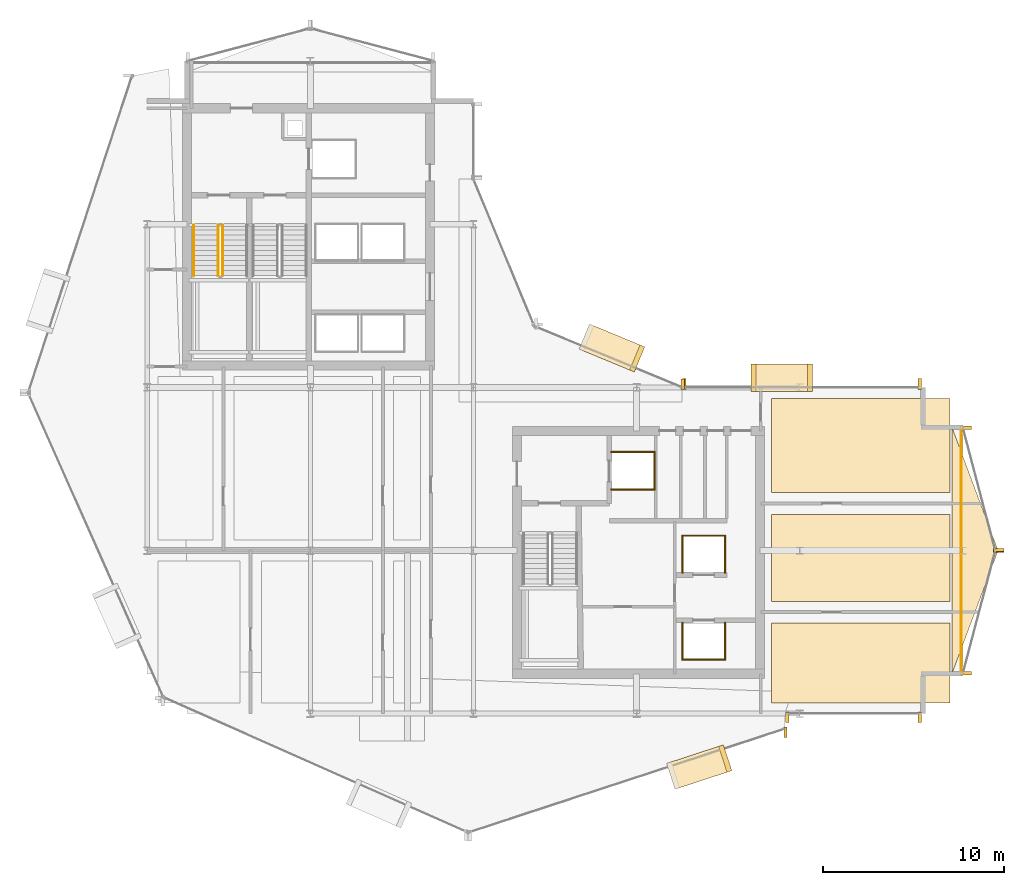
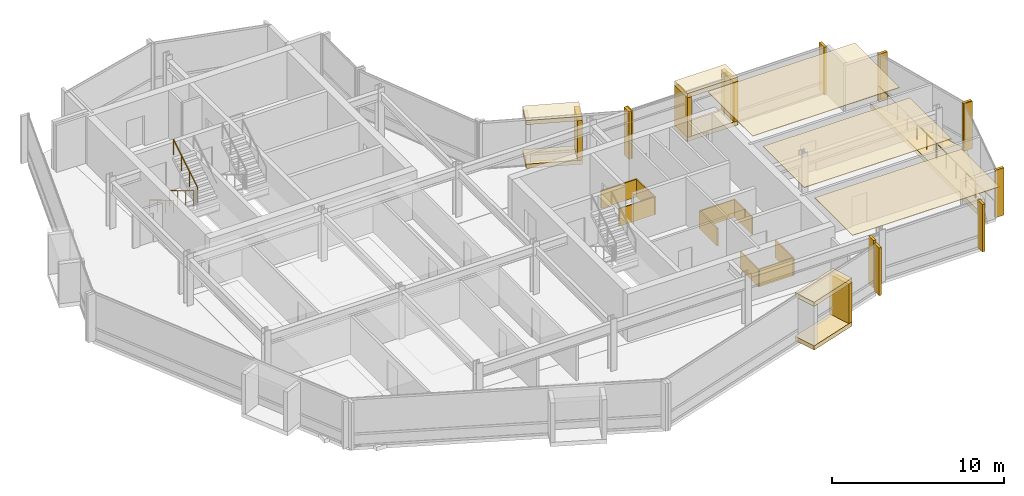
# One storey, part 26 of 27: 33 coverings, 4 railings.
"""IFC4 building model written with IfcOpenShell, lengths in metres."""

import ifcopenshell
import ifcopenshell.guid

model = None  # the IFC model being written
_history = None  # IfcOwnerHistory: only IFC2X3 demands one
_inside = {}  # id of a spatial element -> (the spatial element, [elements in it])
_under = {}  # id of a project, library or spatial element -> (it, [spatial elements below it])
_declared = {}  # id of a project -> (the project, [libraries it declares])
_typed = {}  # id of a type object -> (the type object, [elements of that type])
_made_of = {}  # id of a material, layer set ... -> (it, [elements and type objects made of it])


def new_model(schema):
    """Start an empty IFC model of exactly this schema.

    Asked for "IFC4X3", IfcOpenShell would pick the latest addendum, in which some entities
    have other attributes; the version numbers below select the first issue.
    IFC2X3 requires an IfcOwnerHistory on every rooted entity: one is made here for all.
    """
    global model, _history
    if schema == "IFC4X3":
        model = ifcopenshell.file(schema_version=(4, 3, 0, 0))
    else:
        model = ifcopenshell.file(schema=schema)
    _inside.clear()
    _under.clear()
    _declared.clear()
    _typed.clear()
    _made_of.clear()
    _history = None
    if model.schema == "IFC2X3":
        org = make("IfcOrganization", Name="unknown")
        user = make(
            "IfcPersonAndOrganization",
            ThePerson=make("IfcPerson", FamilyName="unknown"),
            TheOrganization=org,
        )
        app = make(
            "IfcApplication",
            ApplicationDeveloper=org,
            Version="unknown",
            ApplicationFullName="unknown",
            ApplicationIdentifier="unknown",
        )
        _history = make(
            "IfcOwnerHistory",
            OwningUser=user,
            OwningApplication=app,
            ChangeAction="ADDED",
            CreationDate=0,
        )
    return model


def make(cls, **values):
    """One entity of the class cls with the attributes given. An attribute that is None is left unset."""
    return model.create_entity(
        cls, **{name: value for name, value in values.items() if value is not None}
    )


def rooted(cls, **values):
    """An entity with a GlobalId (a new one), such as an element, a storey or a relation."""
    return make(cls, GlobalId=ifcopenshell.guid.new(), OwnerHistory=_history, **values)


def si_unit(unit_type, name, prefix=None):
    """IfcSIUnit, for example si_unit("LENGTHUNIT", "METRE", prefix="MILLI")."""
    return make("IfcSIUnit", UnitType=unit_type, Prefix=prefix, Name=name)


def assignment(units):
    """IfcUnitAssignment: the units of a project."""
    return None if units is None else make("IfcUnitAssignment", Units=units)


def point(xyz):
    """IfcCartesianPoint."""
    return None if xyz is None else make("IfcCartesianPoint", Coordinates=xyz)


def direction(xyz):
    """IfcDirection."""
    return None if xyz is None else make("IfcDirection", DirectionRatios=xyz)


def frame(location, z_axis=None, x_axis=None):
    """IfcAxis2Placement3D, a coordinate frame: its origin and axes. An axis left out is left unset."""
    return make(
        "IfcAxis2Placement3D",
        Location=point(location),
        Axis=direction(z_axis),
        RefDirection=direction(x_axis),
    )


def frame_2d(location, x_axis=None):
    """IfcAxis2Placement2D, a coordinate frame in the plane: its origin and x axis."""
    return make(
        "IfcAxis2Placement2D", Location=point(location), RefDirection=direction(x_axis)
    )


def origin():
    """The frame at (0, 0, 0) with its axes left unset."""
    return frame((0.0, 0.0, 0.0))


def origin_2d():
    """The frame at (0, 0) in the plane with its x axis left unset."""
    return frame_2d((0.0, 0.0))


def place(relative_to, where):
    """IfcLocalPlacement: puts the frame where relative to a parent placement (None: the world)."""
    return make(
        "IfcLocalPlacement", PlacementRelTo=relative_to, RelativePlacement=where
    )


def context(
    kind, dimensions, precision=None, world=None, true_north=None, identifier=None
):
    """IfcGeometricRepresentationContext, for example the 3D "Model" context."""
    return make(
        "IfcGeometricRepresentationContext",
        ContextIdentifier=identifier,
        ContextType=kind,
        CoordinateSpaceDimension=dimensions,
        Precision=precision,
        WorldCoordinateSystem=world,
        TrueNorth=true_north,
    )


def subcontext(parent, identifier, kind, view, scale=None):
    """IfcGeometricRepresentationSubContext, for example "Body" below "Model"."""
    return make(
        "IfcGeometricRepresentationSubContext",
        ContextIdentifier=identifier,
        ContextType=kind,
        ParentContext=parent,
        TargetScale=scale,
        TargetView=view,
    )


def project(units=None, contexts=None):
    """IfcProject with its units and contexts."""
    return rooted(
        "IfcProject",
        Name="project",
        RepresentationContexts=contexts,
        UnitsInContext=assignment(units),
    )


def spatial(cls, under=None, at=None, **own):
    """A site, building, storey or space (cls), placed at a placement, below another one or the project."""
    s = rooted(cls, ObjectPlacement=at, **own)
    if under is not None:
        _under.setdefault(under.id(), (under, []))[1].append(s)
    return s


def polyline(points):
    """IfcPolyline through the points."""
    return make("IfcPolyline", Points=[point(p) for p in points])


def profile(cls, at=None, kind="AREA", **sizes):
    """A parametric profile (cls). Its sizes go by their IFC names, for example OverallWidth=200.0."""
    return make(cls, ProfileType=kind, Position=at, **sizes)


def rectangle(**sizes):
    """IfcRectangleProfileDef."""
    return profile("IfcRectangleProfileDef", **sizes)


def circle(**sizes):
    """IfcCircleProfileDef."""
    return profile("IfcCircleProfileDef", **sizes)


def outline(outer, holes=None, kind="AREA"):
    """IfcArbitraryClosedProfileDef: a profile drawn as a closed curve; with holes, ...WithVoids."""
    if holes is None:
        return make("IfcArbitraryClosedProfileDef", ProfileType=kind, OuterCurve=outer)
    return make(
        "IfcArbitraryProfileDefWithVoids",
        ProfileType=kind,
        OuterCurve=outer,
        InnerCurves=holes,
    )


def extrude(swept, where, along, depth):
    """IfcExtrudedAreaSolid: the profile swept, set in the frame where, extruded along a direction by depth."""
    return make(
        "IfcExtrudedAreaSolid",
        SweptArea=swept,
        Position=where,
        ExtrudedDirection=direction(along),
        Depth=depth,
    )


def shape(context_of_items, identifier, shape_type, items):
    """IfcShapeRepresentation: the items that make up one representation, for example the "Body"."""
    return make(
        "IfcShapeRepresentation",
        ContextOfItems=context_of_items,
        RepresentationIdentifier=identifier,
        RepresentationType=shape_type,
        Items=items,
    )


def material(Name=None, Category=None):
    """IfcMaterial."""
    return make("IfcMaterial", Name=Name, Category=Category)


def layer(
    of_material, thickness, ventilated=None, Name=None, Category=None, Priority=None
):
    """IfcMaterialLayer: one layer of a wall or slab, of a material (None: an air gap)."""
    return make(
        "IfcMaterialLayer",
        Material=of_material,
        LayerThickness=thickness,
        IsVentilated=ventilated,
        Name=Name,
        Category=Category,
        Priority=Priority,
    )


def layer_set(layers, Name=None):
    """IfcMaterialLayerSet."""
    return make("IfcMaterialLayerSet", MaterialLayers=layers, LayerSetName=Name)


def made_of(thing, what):
    """Note that an element or type object is made of a material, layer set ...; save() writes the relation."""
    if what is not None:
        _made_of.setdefault(what.id(), (what, []))[1].append(thing)
    return thing


def type_object(cls, material=None, **own):
    """A type object (cls), such as IfcWallType, which elements share."""
    return made_of(rooted(cls, **own), material)


def element(
    cls,
    number,
    at=None,
    inside=None,
    cuts=None,
    type_object=None,
    material=None,
    context=None,
    identifier="Body",
    shape_type=None,
    held_by="IfcProductDefinitionShape",
    body=None,
    shapes=None,
    **own,
):
    """One element of the class cls, such as IfcWall. Its Tag is "e" and its number.

    at: its placement. inside: the storey or other place that contains it. cuts: it is an
    opening in that element (IfcRelVoidsElement). A single representation is given by context,
    identifier, shape_type and body (its items); several are given by shapes. held_by: the class
    of the entity that holds the representations. save() writes the other relations.
    """
    e = rooted(cls, Tag="e%d" % number, ObjectPlacement=at, **own)
    if body is not None:
        shapes = [shape(context, identifier, shape_type, body)]
    if shapes is not None:
        e.Representation = make(held_by, Representations=shapes)
    if inside is not None:
        _inside.setdefault(inside.id(), (inside, []))[1].append(e)
    if cuts is not None:
        rooted(
            "IfcRelVoidsElement", RelatingBuildingElement=cuts, RelatedOpeningElement=e
        )
    if type_object is not None:
        _typed.setdefault(type_object.id(), (type_object, []))[1].append(e)
    return made_of(e, material)


def aggregate(whole, parts):
    """IfcRelAggregates: a whole, such as a stair, and the parts it consists of."""
    return rooted("IfcRelAggregates", RelatingObject=whole, RelatedObjects=parts)


def save(model, path):
    """Write the relations noted so far, then the file.

    IfcRelAggregates (storeys below a building ...), IfcRelContainedInSpatialStructure (elements
    in a storey), IfcRelDefinesByType, IfcRelAssociatesMaterial and IfcRelDeclares: one each for
    every whole, place, type object, material and project.
    """
    for whole, parts in _under.values():
        aggregate(whole, parts)
    for where, things in _inside.values():
        rooted(
            "IfcRelContainedInSpatialStructure",
            RelatedElements=things,
            RelatingStructure=where,
        )
    for kind, things in _typed.values():
        rooted("IfcRelDefinesByType", RelatedObjects=things, RelatingType=kind)
    for what, things in _made_of.values():
        rooted("IfcRelAssociatesMaterial", RelatedObjects=things, RelatingMaterial=what)
    for by, libraries in _declared.values():
        rooted("IfcRelDeclares", RelatingContext=by, RelatedDefinitions=libraries)
    model.write(path)


model = new_model("IFC4")

# Units and contexts
model_context = context("Model", 3, precision=1e-05, world=origin(), true_north=direction((0.0, 1.0)))
body_context = subcontext(model_context, "Body", "Model", "MODEL_VIEW")
ifc_project = project(units=[si_unit("LENGTHUNIT", "METRE"), si_unit("AREAUNIT", "SQUARE_METRE"), si_unit("VOLUMEUNIT", "CUBIC_METRE"), si_unit("PLANEANGLEUNIT", "RADIAN"), si_unit("MASSUNIT", "GRAM", prefix="KILO")], contexts=[model_context])

# Site, building, storey
site_placement = place(None, origin())
site = spatial("IfcSite", under=ifc_project, at=site_placement, CompositionType="ELEMENT")
building_placement = place(site_placement, origin())
building = spatial("IfcBuilding", under=site, at=building_placement, Name="Solvaryn Broadcast Tower", CompositionType="ELEMENT")
storey_placement = place(building_placement, frame((0.0, 0.0, 192.699951171875)))
storey = spatial("IfcBuildingStorey", under=building, at=storey_placement, Name="L48", CompositionType="ELEMENT", Elevation=192.699951171875)

# Coverings
ifc_material_1 = material(Name="Micro-Perforated Acoustic Gypsum Ceiling", Category="concrete")
ifc_layer_1 = layer(ifc_material_1, 0.0400390625)
ifc_layer_set_1 = layer_set([ifc_layer_1], Name="CV-CEIL-ACOUSTIC")
covering_type_1 = type_object("IfcCoveringType", Name="CV-CEIL-ACOUSTIC", PredefinedType="CEILING", material=ifc_layer_set_1)
covering_1_placement = place(storey_placement, frame((0.0, 0.0, 3.330078125)))
element("IfcCovering", 1, at=covering_1_placement, inside=storey, type_object=covering_type_1, Name="L48 Room Acoustic Ceiling 7", PredefinedType="CEILING", context=body_context, shape_type="SweptSolid", body=[
    extrude(outline(polyline([(43.449951171875, 9.60009765625), (53.300048828125, 9.60009765625), (53.300048828125, 14.0), (43.449951171875, 14.0), (43.449951171875, 9.60009765625)])), origin(), (0.0, 0.0, 1.0), 0.0400390625),
])
covering_2_placement = place(storey_placement, frame((0.0, 0.0, 3.330078125)))
element("IfcCovering", 2, at=covering_2_placement, inside=storey, type_object=covering_type_1, Name="L48 Room Acoustic Ceiling 8", PredefinedType="CEILING", context=body_context, shape_type="SweptSolid", body=[
    extrude(outline(polyline([(43.449951171875, 15.199951171875), (53.300048828125, 15.199951171875), (53.300048828125, 20.0), (43.449951171875, 20.0), (43.449951171875, 15.199951171875)])), origin(), (0.0, 0.0, 1.0), 0.0400390625),
])
covering_3_placement = place(storey_placement, frame((0.0, 0.0, 3.330078125)))
element("IfcCovering", 3, at=covering_3_placement, inside=storey, type_object=covering_type_1, Name="L48 Room Acoustic Ceiling 9", PredefinedType="CEILING", context=body_context, shape_type="SweptSolid", body=[
    extrude(outline(polyline([(43.449951171875, 21.199951171875), (53.300048828125, 21.199951171875), (53.300048828125, 26.39990234375), (43.449951171875, 26.39990234375), (43.449951171875, 21.199951171875)])), origin(), (0.0, 0.0, 1.0), 0.0400390625),
])
ifc_material_2 = material(Name="Fire-Rated Gypsum Shaftwall Liner", Category="concrete")
ifc_layer_2 = layer(ifc_material_2, 0.080078125)
ifc_layer_set_2 = layer_set([ifc_layer_2], Name="CV-SHAFT-LINER")
covering_type_2 = type_object("IfcCoveringType", Name="CV-SHAFT-LINER", PredefinedType="CLADDING", material=ifc_layer_set_2)
for number, where, z_axis, x_axis, name in (
    (4, (35.800048828125, 23.43994140625, 0.0), (0.0, 0.0, 1.0), (1.0, 0.0, 0.0), "L48 FL2 Hoistway Shaft Liner North"),
    (5, (35.800048828125, 21.360107421875, 0.0), (0.0, 0.0, 1.0), (1.0, 0.0, 0.0), "L48 FL2 Hoistway Shaft Liner South"),
):
    element("IfcCovering", number, at=place(storey_placement, frame(where, z_axis=z_axis, x_axis=x_axis)), inside=storey, type_object=covering_type_2, Name=name, PredefinedType="CLADDING", context=body_context, shape_type="SweptSolid", body=[
        extrude(rectangle(XDim=2.4599609375, YDim=0.080078125, at=origin_2d()), origin(), (0.0, 0.0, 1.0), 1.25),
    ])
covering_4_placement = place(storey_placement, frame((36.989990234375, 22.39990234375, 0.0), z_axis=(0.0, 0.0, 1.0), x_axis=(1.0, 0.0, 0.0)))
element("IfcCovering", 6, at=covering_4_placement, inside=storey, type_object=covering_type_2, Name="L48 FL2 Hoistway Shaft Liner East", PredefinedType="CLADDING", context=body_context, shape_type="SweptSolid", body=[
    extrude(rectangle(XDim=0.080078125, YDim=2.159912109375, at=origin_2d()), origin(), (0.0, 0.0, 1.0), 1.25),
])
covering_5_placement = place(storey_placement, frame((39.699951171875, 11.985107421875, 0.0), z_axis=(0.0, 0.0, 1.0), x_axis=(1.0, 0.0, 0.0)))
element("IfcCovering", 7, at=covering_5_placement, inside=storey, type_object=covering_type_2, Name="L48 PM1 Hoistway Shaft Liner South", PredefinedType="CLADDING", context=body_context, shape_type="SweptSolid", body=[
    extrude(rectangle(XDim=2.409912109375, YDim=0.080078125, at=origin_2d()), origin(), (0.0, 0.0, 1.0), 1.25),
])
for number, where, z_axis, x_axis, name in (
    (8, (40.864990234375, 13.0, 0.0), (0.0, 0.0, 1.0), (1.0, 0.0, 0.0), "L48 PM1 Hoistway Shaft Liner East"),
    (9, (38.534912109375, 13.0, 0.0), (0.0, 0.0, 1.0), (1.0, 0.0, 0.0), "L48 PM1 Hoistway Shaft Liner West"),
):
    element("IfcCovering", number, at=place(storey_placement, frame(where, z_axis=z_axis, x_axis=x_axis)), inside=storey, type_object=covering_type_2, Name=name, PredefinedType="CLADDING", context=body_context, shape_type="SweptSolid", body=[
        extrude(rectangle(XDim=0.080078125, YDim=2.110107421875, at=origin_2d()), origin(), (0.0, 0.0, 1.0), 1.25),
    ])
covering_6_placement = place(storey_placement, frame((39.699951171875, 18.81494140625, 0.0), z_axis=(0.0, 0.0, 1.0), x_axis=(1.0, 0.0, 0.0)))
element("IfcCovering", 10, at=covering_6_placement, inside=storey, type_object=covering_type_2, Name="L48 PM2 Hoistway Shaft Liner North", PredefinedType="CLADDING", context=body_context, shape_type="SweptSolid", body=[
    extrude(rectangle(XDim=2.409912109375, YDim=0.080078125, at=origin_2d()), origin(), (0.0, 0.0, 1.0), 1.25),
])
for number, where, z_axis, x_axis, name in (
    (11, (40.864990234375, 17.800048828125, 0.0), (0.0, 0.0, 1.0), (1.0, 0.0, 0.0), "L48 PM2 Hoistway Shaft Liner East"),
    (12, (38.534912109375, 17.800048828125, 0.0), (0.0, 0.0, 1.0), (1.0, 0.0, 0.0), "L48 PM2 Hoistway Shaft Liner West"),
):
    element("IfcCovering", number, at=place(storey_placement, frame(where, z_axis=z_axis, x_axis=x_axis)), inside=storey, type_object=covering_type_2, Name=name, PredefinedType="CLADDING", context=body_context, shape_type="SweptSolid", body=[
        extrude(rectangle(XDim=0.080078125, YDim=2.110107421875, at=origin_2d()), origin(), (0.0, 0.0, 1.0), 1.25),
    ])
ifc_material_3 = material(Name="Glazed Architectural Terracotta Rainscreen Cladding", Category="masonry")
ifc_layer_3 = layer(ifc_material_3, 0.280029296875)
ifc_layer_set_3 = layer_set([ifc_layer_3], Name="CV-TC-CLAD")
covering_type_3 = type_object("IfcCoveringType", Name="CV-TC-CLAD", PredefinedType="CLADDING", material=ifc_layer_set_3)
for number, where, z_axis, x_axis, name in (
    (13, (39.4541015625, 6.054931640625, 3.080078125), (0.0, 0.0, 1.0), (0.950244253402, 0.311505792684, 0.0), "L48 Projecting Stone Window Box Hood 4"),
    (14, (39.4541015625, 6.054931640625, -0.009765625), (0.0, 0.0, 1.0), (0.950244253402, 0.311505792684, 0.0), "L48 Projecting Stone Window Box Sill 4"),
):
    element("IfcCovering", number, at=place(storey_placement, frame(where, z_axis=z_axis, x_axis=x_axis)), inside=storey, type_object=covering_type_3, Name=name, PredefinedType="CLADDING", context=body_context, shape_type="SweptSolid", body=[
        extrude(rectangle(XDim=3.300048828125, YDim=1.5, at=origin_2d()), origin(), (0.0, 0.0, 1.0), 0.300048828125),
    ])
covering_7_placement = place(storey_placement, frame((40.888916015625, 6.525390625, 0.280029296875), z_axis=(0.0, 0.0, 1.0), x_axis=(0.950244253402, 0.311505792684, 0.0)))
element("IfcCovering", 15, at=covering_7_placement, inside=storey, type_object=covering_type_3, Name="L48 Projecting Stone Window Box Cheek 4-2", PredefinedType="CLADDING", context=body_context, shape_type="SweptSolid", body=[
    extrude(rectangle(XDim=0.280029296875, YDim=1.5, at=origin_2d()), origin(), (0.0, 0.0, 1.0), 2.81005859375),
])
for number, where, z_axis, x_axis, name in (
    (16, (34.636962890625, 29.174072265625, 3.080078125), (0.0, 0.0, 1.0), (-0.923879532511, 0.382683432365, 0.0), "L48 Projecting Stone Window Box Hood 5"),
    (17, (34.636962890625, 29.174072265625, -0.009765625), (0.0, 0.0, 1.0), (-0.923879532511, 0.382683432365, 0.0), "L48 Projecting Stone Window Box Sill 5"),
):
    element("IfcCovering", number, at=place(storey_placement, frame(where, z_axis=z_axis, x_axis=x_axis)), inside=storey, type_object=covering_type_3, Name=name, PredefinedType="CLADDING", context=body_context, shape_type="SweptSolid", body=[
        extrude(rectangle(XDim=3.300048828125, YDim=1.5, at=origin_2d()), origin(), (0.0, 0.0, 1.0), 0.300048828125),
    ])
covering_8_placement = place(storey_placement, frame((36.031982421875, 28.59619140625, 0.280029296875), z_axis=(0.0, 0.0, 1.0), x_axis=(-0.923879532511, 0.382683432365, 0.0)))
element("IfcCovering", 18, at=covering_8_placement, inside=storey, type_object=covering_type_3, Name="L48 Projecting Stone Window Box Cheek 5-1", PredefinedType="CLADDING", context=body_context, shape_type="SweptSolid", body=[
    extrude(rectangle(XDim=0.280029296875, YDim=1.5, at=origin_2d()), origin(), (0.0, 0.0, 1.0), 2.81005859375),
])
for number, where, z_axis, x_axis, name in (
    (19, (44.0, 27.530029296875, 3.080078125), (0.0, 0.0, 1.0), (1.0, 0.0, 0.0), "L48 Projecting Stone Window Box Hood 6"),
    (20, (44.0, 27.530029296875, -0.009765625), (0.0, 0.0, 1.0), (1.0, 0.0, 0.0), "L48 Projecting Stone Window Box Sill 6"),
):
    element("IfcCovering", number, at=place(storey_placement, frame(where, z_axis=z_axis, x_axis=x_axis)), inside=storey, type_object=covering_type_3, Name=name, PredefinedType="CLADDING", context=body_context, shape_type="SweptSolid", body=[
        extrude(rectangle(XDim=3.39990234375, YDim=1.5, at=origin_2d()), origin(), (0.0, 0.0, 1.0), 0.300048828125),
    ])
for number, where, z_axis, x_axis, name in (
    (21, (42.43994140625, 27.530029296875, 0.280029296875), (0.0, 0.0, 1.0), (1.0, 0.0, 0.0), "L48 Projecting Stone Window Box Cheek 6-1"),
    (22, (45.56005859375, 27.530029296875, 0.280029296875), (0.0, 0.0, 1.0), (1.0, 0.0, 0.0), "L48 Projecting Stone Window Box Cheek 6-2"),
):
    element("IfcCovering", number, at=place(storey_placement, frame(where, z_axis=z_axis, x_axis=x_axis)), inside=storey, type_object=covering_type_3, Name=name, PredefinedType="CLADDING", context=body_context, shape_type="SweptSolid", body=[
        extrude(rectangle(XDim=0.280029296875, YDim=1.5, at=origin_2d()), origin(), (0.0, 0.0, 1.0), 2.81005859375),
    ])
ifc_material_4 = material(Name="Extruded Architectural Terracotta Fin", Category="masonry")
ifc_layer_4 = layer(ifc_material_4, 0.179931640625)
ifc_layer_set_4 = layer_set([ifc_layer_4], Name="CV-TC-FIN")
covering_type_4 = type_object("IfcCoveringType", Name="CV-TC-FIN", PredefinedType="USERDEFINED", material=ifc_layer_set_4)
for number, where, z_axis, x_axis, name in (
    (23, (44.209716796875, 7.982666015625, 0.0), (0.0, 0.0, 1.0), (1.0, 0.0, 0.0), "L48 Terracotta Vertical Fin FIN-L48-DR4-M01"),
    (24, (38.541259765625, 27.177978515625, 0.0), (0.0, 0.0, 1.0), (1.0, 0.0, 0.0), "L48 Terracotta Vertical Fin FIN-L48-CN1-M00"),
    (25, (44.31201171875, 8.8125, 0.0), (0.0, 0.0, 1.0), (1.0, 0.0, 0.0), "L48 Terracotta Vertical Fin FIN-L48-S2-M00"),
    (26, (51.6201171875, 8.8125, 0.0), (0.0, 0.0, 1.0), (1.0, 0.0, 0.0), "L48 Terracotta Vertical Fin FIN-L48-S2-M01"),
):
    element("IfcCovering", number, at=place(storey_placement, frame(where, z_axis=z_axis, x_axis=x_axis)), inside=storey, type_object=covering_type_4, Name=name, ObjectType="FIN", PredefinedType="USERDEFINED", context=body_context, shape_type="SweptSolid", body=[
        extrude(rectangle(XDim=0.179931640625, YDim=0.580078125, at=origin_2d()), origin(), (0.0, 0.0, 1.0), 3.3701171875),
    ])
for number, where, z_axis, x_axis, name in (
    (27, (54.1953125, 24.77099609375, 0.0), (0.0, 0.0, 1.0), (1.0, 0.0, 0.0), "L48 Terracotta Vertical Fin FIN-L48-ET1-M00"),
    (28, (55.979736328125, 18.029052734375, 0.0), (0.0, 0.0, 1.0), (1.0, 0.0, 0.0), "L48 Terracotta Vertical Fin FIN-L48-ET1-M01"),
    (29, (55.979736328125, 17.970947265625, 0.0), (0.0, 0.0, 1.0), (1.0, 0.0, 0.0), "L48 Terracotta Vertical Fin FIN-L48-ET2-M00"),
    (30, (54.1953125, 11.22900390625, 0.0), (0.0, 0.0, 1.0), (1.0, 0.0, 0.0), "L48 Terracotta Vertical Fin FIN-L48-ET2-M01"),
):
    element("IfcCovering", number, at=place(storey_placement, frame(where, z_axis=z_axis, x_axis=x_axis)), inside=storey, type_object=covering_type_4, Name=name, ObjectType="FIN", PredefinedType="USERDEFINED", context=body_context, shape_type="SweptSolid", body=[
        extrude(rectangle(XDim=0.580078125, YDim=0.179931640625, at=origin_2d()), origin(), (0.0, 0.0, 1.0), 3.3701171875),
    ])
for number, where, z_axis, x_axis, name in (
    (31, (38.6298828125, 27.1875, 0.0), (0.0, 0.0, 1.0), (1.0, 0.0, 0.0), "L48 Terracotta Vertical Fin FIN-L48-IH-M00"),
    (32, (51.6201171875, 27.1875, 0.0), (0.0, 0.0, 1.0), (1.0, 0.0, 0.0), "L48 Terracotta Vertical Fin FIN-L48-IH-M01"),
):
    element("IfcCovering", number, at=place(storey_placement, frame(where, z_axis=z_axis, x_axis=x_axis)), inside=storey, type_object=covering_type_4, Name=name, ObjectType="FIN", PredefinedType="USERDEFINED", context=body_context, shape_type="SweptSolid", body=[
        extrude(rectangle(XDim=0.179931640625, YDim=0.580078125, at=origin_2d()), origin(), (0.0, 0.0, 1.0), 3.3701171875),
    ])
ifc_material_5 = material(Name="Sculpted Architectural Terracotta Wave Fascia", Category="masonry")
ifc_layer_5 = layer(ifc_material_5, 0.340087890625)
ifc_layer_set_5 = layer_set([ifc_layer_5], Name="CV-WAVE-TRAY")
covering_type_5 = type_object("IfcCoveringType", Name="CV-WAVE-TRAY", PredefinedType="CLADDING", material=ifc_layer_set_5)
covering_9_placement = place(storey_placement, frame((0.0, 0.0, -0.300048828125)))
element("IfcCovering", 33, at=covering_9_placement, inside=storey, type_object=covering_type_5, Name="L48 East Curved Wing Deck", PredefinedType="CLADDING", context=body_context, shape_type="SweptSolid", body=[
    extrude(outline(polyline([(53.39990234375, 11.199951171875), (55.949951171875, 18.0), (53.39990234375, 24.800048828125), (53.39990234375, 11.199951171875)])), origin(), (0.0, 0.0, 1.0), 0.330078125),
])

# Railings
ifc_material_6 = material(Name="Painted Steel Stair Well Guard", Category="steel")
railing_type_1 = type_object("IfcRailingType", Name="RL-STAIR-GUARD", PredefinedType="BALUSTRADE", material=ifc_material_6)
railing_1_placement = place(storey_placement, frame((12.909912109375, 35.9599609375, 0.168212890625)))
element("IfcRailing", 34, at=railing_1_placement, inside=storey, type_object=railing_type_1, Name="L48 ST1 stair guard 1", PredefinedType="BALUSTRADE", context=body_context, shape_type="SweptSolid", body=[
    extrude(circle(Radius=0.02392578125, at=origin_2d()), frame((0.0, 0.0, 1.076171875), z_axis=(0.0, -0.857242210791, 0.514913383045), x_axis=(1.0, 0.0, 0.0)), (0.0, 0.0, 1.0), 3.266357421875),
    extrude(circle(Radius=0.02099609375, at=origin_2d()), origin(), (0.0, 0.0, 1.0), 1.052001953125),
    extrude(circle(Radius=0.02099609375, at=origin_2d()), frame((0.0, -0.933349609375, 0.560546875)), (0.0, 0.0, 1.0), 1.052001953125),
    extrude(circle(Radius=0.02099609375, at=origin_2d()), frame((0.0, -1.86669921875, 1.121337890625)), (0.0, 0.0, 1.0), 1.052001953125),
    extrude(circle(Radius=0.02099609375, at=origin_2d()), frame((0.0, -2.800048828125, 1.681884765625)), (0.0, 0.0, 1.0), 1.052001953125),
])
railing_2_placement = place(storey_placement, frame((13.159912109375, 33.159912109375, 2.018310546875)))
element("IfcRailing", 35, at=railing_2_placement, inside=storey, type_object=railing_type_1, Name="L48 ST1 stair guard 3", PredefinedType="BALUSTRADE", context=body_context, shape_type="SweptSolid", body=[
    extrude(circle(Radius=0.02392578125, at=origin_2d()), frame((0.0, 0.0, 1.076171875), z_axis=(0.0, 0.857275202839, 0.514858452973), x_axis=(-1.0, 0.0, 0.0)), (0.0, 0.0, 1.0), 3.26611328125),
    extrude(circle(Radius=0.02099609375, at=origin_2d()), origin(), (0.0, 0.0, 1.0), 1.052001953125),
    extrude(circle(Radius=0.02099609375, at=origin_2d()), frame((0.0, 0.933349609375, 0.560546875)), (0.0, 0.0, 1.0), 1.052001953125),
    extrude(circle(Radius=0.02099609375, at=origin_2d()), frame((0.0, 1.86669921875, 1.12109375)), (0.0, 0.0, 1.0), 1.052001953125),
    extrude(circle(Radius=0.02099609375, at=origin_2d()), frame((0.0, 2.800048828125, 1.681640625)), (0.0, 0.0, 1.0), 1.052001953125),
])
ifc_material_7 = material(Name="Brushed Stainless Steel Tubular Handrail", Category="steel")
railing_type_2 = type_object("IfcRailingType", Name="RL-STAIR-HANDRAIL", PredefinedType="HANDRAIL", material=ifc_material_7)
railing_3_placement = place(storey_placement, frame((11.570068359375, 35.9599609375, 0.168212890625)))
element("IfcRailing", 36, at=railing_3_placement, inside=storey, type_object=railing_type_2, Name="L48 ST1 stair handrail 1", PredefinedType="HANDRAIL", context=body_context, shape_type="SweptSolid", body=[
    extrude(circle(Radius=0.02392578125, at=origin_2d()), frame((0.0, 0.0, 0.8759765625), z_axis=(0.0, -0.857242210791, 0.514913383045), x_axis=(1.0, 0.0, 0.0)), (0.0, 0.0, 1.0), 3.266357421875),
    extrude(circle(Radius=0.02099609375, at=origin_2d()), origin(), (0.0, 0.0, 1.0), 0.851806640625),
    extrude(circle(Radius=0.02099609375, at=origin_2d()), frame((0.0, -0.933349609375, 0.560546875)), (0.0, 0.0, 1.0), 0.851806640625),
    extrude(circle(Radius=0.02099609375, at=origin_2d()), frame((0.0, -1.86669921875, 1.121337890625)), (0.0, 0.0, 1.0), 0.851806640625),
    extrude(circle(Radius=0.02099609375, at=origin_2d()), frame((0.0, -2.800048828125, 1.681884765625)), (0.0, 0.0, 1.0), 0.851806640625),
])
ifc_material_8 = material(Name="Stainless Steel and Laminated Glass Guard", Category="steel")
railing_type_3 = type_object("IfcRailingType", Name="RL-TER-1150", PredefinedType="BALUSTRADE", material=ifc_material_8)
railing_4_placement = place(storey_placement, frame((53.919921875, 11.199951171875, 0.0)))
element("IfcRailing", 37, at=railing_4_placement, inside=storey, type_object=railing_type_3, Name="L48 East Wing Spandrel Edge Guard", PredefinedType="BALUSTRADE", context=body_context, shape_type="SweptSolid", body=[
    extrude(circle(Radius=0.02392578125, at=origin_2d()), frame((0.0, 0.0, 1.1259765625), z_axis=(0.0, 1.0, 0.0), x_axis=(-1.0, 0.0, 0.0)), (0.0, 0.0, 1.0), 13.60009765625),
    extrude(circle(Radius=0.02099609375, at=origin_2d()), origin(), (0.0, 0.0, 1.0), 1.101806640625),
    extrude(circle(Radius=0.02099609375, at=origin_2d()), frame((0.0, 1.13330078125, 0.0)), (0.0, 0.0, 1.0), 1.101806640625),
    extrude(circle(Radius=0.02099609375, at=origin_2d()), frame((0.0, 2.2666015625, 0.0)), (0.0, 0.0, 1.0), 1.101806640625),
    extrude(circle(Radius=0.02099609375, at=origin_2d()), frame((0.0, 3.39990234375, 0.0)), (0.0, 0.0, 1.0), 1.101806640625),
    extrude(circle(Radius=0.02099609375, at=origin_2d()), frame((0.0, 4.533447265625, 0.0)), (0.0, 0.0, 1.0), 1.101806640625),
    extrude(circle(Radius=0.02099609375, at=origin_2d()), frame((0.0, 5.666748046875, 0.0)), (0.0, 0.0, 1.0), 1.101806640625),
    extrude(circle(Radius=0.02099609375, at=origin_2d()), frame((0.0, 6.800048828125, 0.0)), (0.0, 0.0, 1.0), 1.101806640625),
    extrude(circle(Radius=0.02099609375, at=origin_2d()), frame((0.0, 7.933349609375, 0.0)), (0.0, 0.0, 1.0), 1.101806640625),
    extrude(circle(Radius=0.02099609375, at=origin_2d()), frame((0.0, 9.066650390625, 0.0)), (0.0, 0.0, 1.0), 1.101806640625),
    extrude(circle(Radius=0.02099609375, at=origin_2d()), frame((0.0, 10.2001953125, 0.0)), (0.0, 0.0, 1.0), 1.101806640625),
    extrude(circle(Radius=0.02099609375, at=origin_2d()), frame((0.0, 11.33349609375, 0.0)), (0.0, 0.0, 1.0), 1.101806640625),
    extrude(circle(Radius=0.02099609375, at=origin_2d()), frame((0.0, 12.466796875, 0.0)), (0.0, 0.0, 1.0), 1.101806640625),
    extrude(circle(Radius=0.02099609375, at=origin_2d()), frame((0.0, 13.60009765625, 0.0)), (0.0, 0.0, 1.0), 1.101806640625),
])

save(model, "model.ifc")
